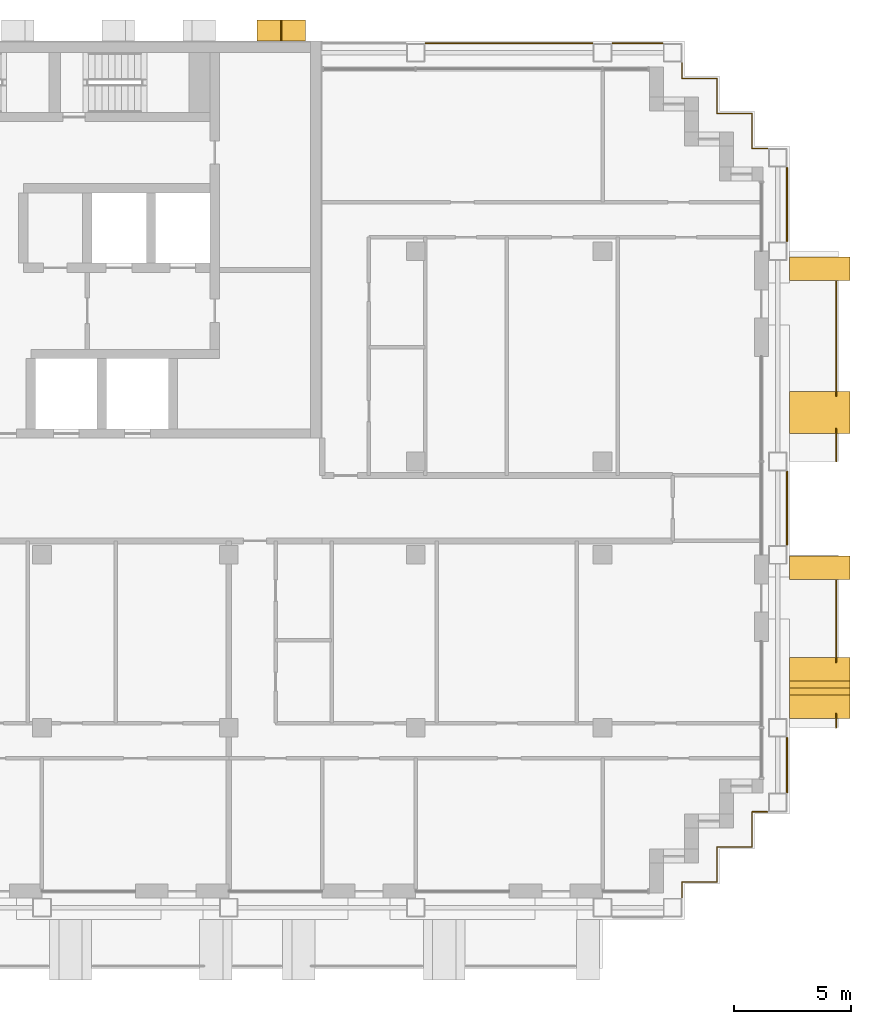
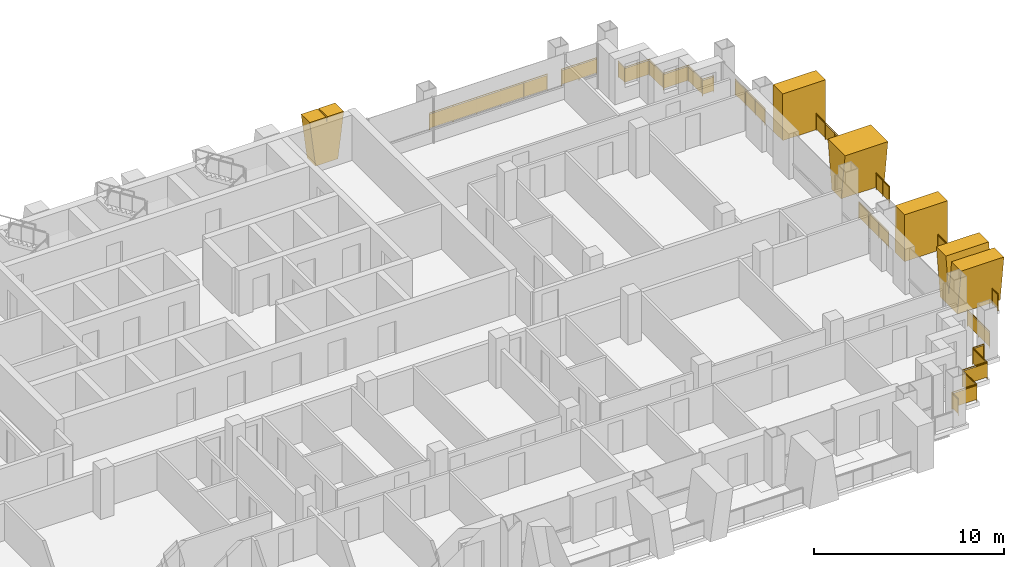
# One storey, part 16 of 16: 11 railings, 5 shading devices.
"""IFC4 building model written with IfcOpenShell, lengths in metres."""

from ifc_helpers import new_model, si_unit, direction, frame, origin, origin_2d, place, context, subcontext, project, spatial, polyline, rectangle, circle, outline, extrude, material, layer, layer_set, type_object, element, save


model = new_model("IFC4")

# Units and contexts
model_context = context("Model", 3, precision=1e-05, world=origin(), true_north=direction((0.0, 1.0)))
body_context = subcontext(model_context, "Body", "Model", "MODEL_VIEW")
ifc_project = project(units=[si_unit("LENGTHUNIT", "METRE"), si_unit("AREAUNIT", "SQUARE_METRE"), si_unit("VOLUMEUNIT", "CUBIC_METRE"), si_unit("PLANEANGLEUNIT", "RADIAN"), si_unit("MASSUNIT", "GRAM", prefix="KILO")], contexts=[model_context])

# Site, building, storey
site_placement = place(None, origin())
site = spatial("IfcSite", under=ifc_project, at=site_placement, CompositionType="ELEMENT")
building_placement = place(site_placement, origin())
building = spatial("IfcBuilding", under=site, at=building_placement, Name="Vidyagriha Tower", CompositionType="ELEMENT")
storey_placement = place(building_placement, frame((0.0, 0.0, 132.60009765625)))
storey = spatial("IfcBuildingStorey", under=building, at=storey_placement, Name="L34", CompositionType="ELEMENT", Elevation=132.60009765625)

# Railings
ifc_material_1 = material(Name="Steel ASTM A500 Grade C black painted", Category="steel")
railing_type_1 = type_object("IfcRailingType", Name="Balcony guard 1100", PredefinedType="BALUSTRADE", material=ifc_material_1)
railing_1_placement = place(storey_placement, frame((36.0, -9.39990234375, 0.0)))
element("IfcRailing", 1, at=railing_1_placement, inside=storey, type_object=railing_type_1, Name="Balcony guard L34 R30.1-1", PredefinedType="BALUSTRADE", context=body_context, shape_type="SweptSolid", body=[
    extrude(circle(Radius=0.02490234375, at=origin_2d()), frame((0.0, 0.0, 1.0751953125), z_axis=(0.0, 1.0, 0.0), x_axis=(-1.0, 0.0, 0.0)), (0.0, 0.0, 1.0), 0.5966796875),
    extrude(circle(Radius=0.02001953125, at=origin_2d()), origin(), (0.0, 0.0, 1.0), 1.050048828125),
    extrude(circle(Radius=0.02001953125, at=origin_2d()), frame((0.0, 0.5966796875, 0.0)), (0.0, 0.0, 1.0), 1.050048828125),
    extrude(rectangle(XDim=0.010009765625, YDim=0.900146484375, at=origin_2d()), frame((0.0, 0.0, 0.550048828125), z_axis=(0.0, 1.0, 0.0), x_axis=(-1.0, 0.0, 0.0)), (0.0, 0.0, 1.0), 0.5966796875),
])
railing_2_placement = place(storey_placement, frame((36.0, -6.5966796875, 0.0)))
element("IfcRailing", 2, at=railing_2_placement, inside=storey, type_object=railing_type_1, Name="Balcony guard L34 R30.1-2", PredefinedType="BALUSTRADE", context=body_context, shape_type="SweptSolid", body=[
    extrude(circle(Radius=0.02490234375, at=origin_2d()), frame((0.0, 0.0, 1.0751953125), z_axis=(0.0, 1.0, 0.0), x_axis=(-1.0, 0.0, 0.0)), (0.0, 0.0, 1.0), 3.49658203125),
    extrude(circle(Radius=0.02001953125, at=origin_2d()), origin(), (0.0, 0.0, 1.0), 1.050048828125),
    extrude(circle(Radius=0.02001953125, at=origin_2d()), frame((0.0, 1.16552734375, 0.0)), (0.0, 0.0, 1.0), 1.050048828125),
    extrude(circle(Radius=0.02001953125, at=origin_2d()), frame((0.0, 2.3310546875, 0.0)), (0.0, 0.0, 1.0), 1.050048828125),
    extrude(circle(Radius=0.02001953125, at=origin_2d()), frame((0.0, 3.49658203125, 0.0)), (0.0, 0.0, 1.0), 1.050048828125),
    extrude(rectangle(XDim=0.010009765625, YDim=0.900146484375, at=origin_2d()), frame((0.0, 0.0, 0.550048828125), z_axis=(0.0, 1.0, 0.0), x_axis=(-1.0, 0.0, 0.0)), (0.0, 0.0, 1.0), 3.49658203125),
])
railing_3_placement = place(storey_placement, frame((36.0, 2.0, 0.0)))
element("IfcRailing", 3, at=railing_3_placement, inside=storey, type_object=railing_type_1, Name="Balcony guard L34 R30.2-1", PredefinedType="BALUSTRADE", context=body_context, shape_type="SweptSolid", body=[
    extrude(circle(Radius=0.02490234375, at=origin_2d()), frame((0.0, 0.0, 1.0751953125), z_axis=(0.0, 1.0, 0.0), x_axis=(-1.0, 0.0, 0.0)), (0.0, 0.0, 1.0), 1.396728515625),
    extrude(circle(Radius=0.02001953125, at=origin_2d()), origin(), (0.0, 0.0, 1.0), 1.050048828125),
    extrude(circle(Radius=0.02001953125, at=origin_2d()), frame((0.0, 0.6982421875, 0.0)), (0.0, 0.0, 1.0), 1.050048828125),
    extrude(circle(Radius=0.02001953125, at=origin_2d()), frame((0.0, 1.396728515625, 0.0)), (0.0, 0.0, 1.0), 1.050048828125),
    extrude(rectangle(XDim=0.010009765625, YDim=0.900146484375, at=origin_2d()), frame((0.0, 0.0, 0.550048828125), z_axis=(0.0, 1.0, 0.0), x_axis=(-1.0, 0.0, 0.0)), (0.0, 0.0, 1.0), 1.396728515625),
])
railing_4_placement = place(storey_placement, frame((36.0, 4.80322265625, 0.0)))
element("IfcRailing", 4, at=railing_4_placement, inside=storey, type_object=railing_type_1, Name="Balcony guard L34 R30.2-2", PredefinedType="BALUSTRADE", context=body_context, shape_type="SweptSolid", body=[
    extrude(circle(Radius=0.02490234375, at=origin_2d()), frame((0.0, 0.0, 1.0751953125), z_axis=(0.0, 1.0, 0.0), x_axis=(-1.0, 0.0, 0.0)), (0.0, 0.0, 1.0), 4.896728515625),
    extrude(circle(Radius=0.02001953125, at=origin_2d()), origin(), (0.0, 0.0, 1.0), 1.050048828125),
    extrude(circle(Radius=0.02001953125, at=origin_2d()), frame((0.0, 0.979248046875, 0.0)), (0.0, 0.0, 1.0), 1.050048828125),
    extrude(circle(Radius=0.02001953125, at=origin_2d()), frame((0.0, 1.958740234375, 0.0)), (0.0, 0.0, 1.0), 1.050048828125),
    extrude(circle(Radius=0.02001953125, at=origin_2d()), frame((0.0, 2.93798828125, 0.0)), (0.0, 0.0, 1.0), 1.050048828125),
    extrude(circle(Radius=0.02001953125, at=origin_2d()), frame((0.0, 3.91748046875, 0.0)), (0.0, 0.0, 1.0), 1.050048828125),
    extrude(circle(Radius=0.02001953125, at=origin_2d()), frame((0.0, 4.896728515625, 0.0)), (0.0, 0.0, 1.0), 1.050048828125),
    extrude(rectangle(XDim=0.010009765625, YDim=0.900146484375, at=origin_2d()), frame((0.0, 0.0, 0.550048828125), z_axis=(0.0, 1.0, 0.0), x_axis=(-1.0, 0.0, 0.0)), (0.0, 0.0, 1.0), 4.896728515625),
])

# Shading devices
ifc_material_2 = material(Name="Precast concrete C40/50 with buff brick facing", Category="concrete")
ifc_layer_1 = layer(ifc_material_2, 1.0)
ifc_layer_set_1 = layer_set([ifc_layer_1], Name="Precast concrete C40/50 with buff brick facing")
shading_device_type_1 = type_object("IfcShadingDeviceType", Name="Brick-faced blade fin forking 8 degrees", PredefinedType="USERDEFINED", material=ifc_layer_set_1)
shading_device_1_placement = place(storey_placement, frame((35.300048828125, -9.0, 0.0), z_axis=(0.0, 0.0, 1.0), x_axis=(0.0, 1.0, 0.0)))
element("IfcShadingDevice", 5, at=shading_device_1_placement, inside=storey, type_object=shading_device_type_1, Name="Forked blade fin L34 R30.220a", ObjectType="BLADE FIN", PredefinedType="USERDEFINED", context=body_context, shape_type="SweptSolid", body=[
    extrude(outline(polyline([(0.39990234375, 0.0), (2.199951171875, 0.0), (2.60009765625, 3.0), (1.60009765625, 3.0), (1.300048828125, 0.75), (1.0, 3.0), (0.0, 3.0), (0.39990234375, 0.0)])), frame((0.0, 1.300048828125, 0.0), z_axis=(0.0, -1.0, 0.0), x_axis=(1.0, 0.0, 0.0)), (0.0, 0.0, 1.0), 2.60009765625),
])
shading_device_2_placement = place(storey_placement, frame((35.300048828125, 3.199951171875, 0.0), z_axis=(0.0, 0.0, 1.0), x_axis=(0.0, 1.0, 0.0)))
element("IfcShadingDevice", 6, at=shading_device_2_placement, inside=storey, type_object=shading_device_type_1, Name="Forked blade fin L34 R30.1360a", ObjectType="BLADE FIN", PredefinedType="USERDEFINED", context=body_context, shape_type="SweptSolid", body=[
    extrude(outline(polyline([(0.39990234375, 0.0), (1.39990234375, 0.0), (1.800048828125, 3.0), (0.0, 3.0), (0.39990234375, 0.0)])), frame((0.0, 1.300048828125, 0.0), z_axis=(0.0, -1.0, 0.0), x_axis=(1.0, 0.0, 0.0)), (0.0, 0.0, 1.0), 2.60009765625),
])
ifc_material_3 = material(Name="Precast concrete C40/50 with buff brick facing", Category="concrete")
ifc_layer_2 = layer(ifc_material_3, 1.0)
ifc_layer_set_2 = layer_set([ifc_layer_2], Name="Precast concrete C40/50 with buff brick facing")
shading_device_type_2 = type_object("IfcShadingDeviceType", Name="Brick-faced blade fin stem 1000", PredefinedType="USERDEFINED", material=ifc_layer_set_2)
for number, where, z_axis, x_axis, name in (
    (7, (35.300048828125, -3.050048828125, 0.0), (0.0, 0.0, 1.0), (0.0, 1.0, 0.0), "Stem blade fin L34 R30.960a"),
    (8, (35.300048828125, 9.75, 0.0), (0.0, 0.0, 1.0), (0.0, 1.0, 0.0), "Stem blade fin L34 R30.2260a"),
):
    element("IfcShadingDevice", number, at=place(storey_placement, frame(where, z_axis=z_axis, x_axis=x_axis)), inside=storey, type_object=shading_device_type_2, Name=name, ObjectType="BLADE FIN", PredefinedType="USERDEFINED", context=body_context, shape_type="SweptSolid", body=[
        extrude(outline(polyline([(0.0, 0.0), (1.0, 0.0), (1.0, 3.0), (0.0, 3.0), (0.0, 0.0)])), frame((0.0, 1.300048828125, 0.0), z_axis=(0.0, -1.0, 0.0), x_axis=(1.0, 0.0, 0.0)), (0.0, 0.0, 1.0), 2.60009765625),
    ])
ifc_material_4 = material(Name="Precast concrete C40/50 with brick facing", Category="concrete")
ifc_layer_3 = layer(ifc_material_4, 1.0)
ifc_layer_set_3 = layer_set([ifc_layer_3], Name="Precast concrete C40/50 with brick facing")
shading_device_type_3 = type_object("IfcShadingDeviceType", Name="Brick-faced rear rib forking 8 degrees", PredefinedType="USERDEFINED", material=ifc_layer_set_3)
shading_device_3_placement = place(storey_placement, frame((13.28564453125, 20.449951171875, 0.0), z_axis=(0.0, 0.0, 1.0), x_axis=(-1.0, 0.0, 0.0)))
element("IfcShadingDevice", 9, at=shading_device_3_placement, inside=storey, type_object=shading_device_type_3, Name="Rear rib fork L34 R08.1a", ObjectType="BLADE FIN", PredefinedType="USERDEFINED", context=body_context, shape_type="SweptSolid", body=[
    extrude(outline(polyline([(0.357177734375, 0.0), (1.71435546875, 0.0), (2.0712890625, 2.919921875), (1.0712890625, 2.919921875), (1.03564453125, 2.6279296875), (1.0, 2.919921875), (0.0, 2.919921875), (0.357177734375, 0.0)])), frame((0.0, 0.449951171875, 0.0), z_axis=(0.0, -1.0, 0.0), x_axis=(1.0, 0.0, 0.0)), (0.0, 0.0, 1.0), 0.89990234375),
])

# Railings
ifc_material_5 = material(Name="Steel ASTM A500 Grade C black painted", Category="steel")
railing_type_2 = type_object("IfcRailingType", Name="Gallery guard 1100", PredefinedType="GUARDRAIL", material=ifc_material_5)
railing_5_placement = place(storey_placement, frame((18.429931640625, 19.89990234375, 0.0)))
element("IfcRailing", 10, at=railing_5_placement, inside=storey, type_object=railing_type_2, Name="Gallery guard L34 10", PredefinedType="GUARDRAIL", context=body_context, shape_type="SweptSolid", body=[
    extrude(circle(Radius=0.02490234375, at=origin_2d()), frame((0.0, 0.0, 1.0751953125), z_axis=(1.0, 0.0, 0.0), x_axis=(0.0, 1.0, 0.0)), (0.0, 0.0, 1.0), 7.14013671875),
    extrude(circle(Radius=0.02001953125, at=origin_2d()), origin(), (0.0, 0.0, 1.0), 1.050048828125),
    extrude(circle(Radius=0.02001953125, at=origin_2d()), frame((1.427978515625, 0.0, 0.0)), (0.0, 0.0, 1.0), 1.050048828125),
    extrude(circle(Radius=0.02001953125, at=origin_2d()), frame((2.85595703125, 0.0, 0.0)), (0.0, 0.0, 1.0), 1.050048828125),
    extrude(circle(Radius=0.02001953125, at=origin_2d()), frame((4.2841796875, 0.0, 0.0)), (0.0, 0.0, 1.0), 1.050048828125),
    extrude(circle(Radius=0.02001953125, at=origin_2d()), frame((5.712158203125, 0.0, 0.0)), (0.0, 0.0, 1.0), 1.050048828125),
    extrude(circle(Radius=0.02001953125, at=origin_2d()), frame((7.14013671875, 0.0, 0.0)), (0.0, 0.0, 1.0), 1.050048828125),
    extrude(rectangle(XDim=0.010009765625, YDim=0.900146484375, at=origin_2d()), frame((0.0, 0.0, 0.550048828125), z_axis=(1.0, 0.0, 0.0), x_axis=(0.0, 1.0, 0.0)), (0.0, 0.0, 1.0), 7.14013671875),
])
railing_6_placement = place(storey_placement, frame((26.429931640625, 19.89990234375, 0.0)))
element("IfcRailing", 11, at=railing_6_placement, inside=storey, type_object=railing_type_2, Name="Gallery guard L34 12", PredefinedType="GUARDRAIL", context=body_context, shape_type="SweptSolid", body=[
    extrude(circle(Radius=0.02490234375, at=origin_2d()), frame((0.0, 0.0, 1.0751953125), z_axis=(1.0, 0.0, 0.0), x_axis=(0.0, 1.0, 0.0)), (0.0, 0.0, 1.0), 2.14013671875),
    extrude(circle(Radius=0.02001953125, at=origin_2d()), origin(), (0.0, 0.0, 1.0), 1.050048828125),
    extrude(circle(Radius=0.02001953125, at=origin_2d()), frame((1.070068359375, 0.0, 0.0)), (0.0, 0.0, 1.0), 1.050048828125),
    extrude(circle(Radius=0.02001953125, at=origin_2d()), frame((2.14013671875, 0.0, 0.0)), (0.0, 0.0, 1.0), 1.050048828125),
    extrude(rectangle(XDim=0.010009765625, YDim=0.900146484375, at=origin_2d()), frame((0.0, 0.0, 0.550048828125), z_axis=(1.0, 0.0, 0.0), x_axis=(0.0, 1.0, 0.0)), (0.0, 0.0, 1.0), 2.14013671875),
])
railing_7_placement = place(storey_placement, frame((33.070068359375, -13.0, 0.0)))
element("IfcRailing", 12, at=railing_7_placement, inside=storey, type_object=railing_type_2, Name="Gallery guard L34 13", PredefinedType="GUARDRAIL", context=body_context, shape_type="SweptSolid", body=[
    extrude(circle(Radius=0.02490234375, at=origin_2d()), frame((0.0, 0.0, 1.0751953125), z_axis=(-1.0, 0.0, 0.0), x_axis=(0.0, -1.0, 0.0)), (0.0, 0.0, 1.0), 0.670166015625),
    extrude(circle(Radius=0.02490234375, at=origin_2d()), frame((-0.670166015625, 0.0, 1.0751953125), z_axis=(0.0, -1.0, 0.0), x_axis=(1.0, 0.0, 0.0)), (0.0, 0.0, 1.0), 1.5),
    extrude(circle(Radius=0.02490234375, at=origin_2d()), frame((-0.670166015625, -1.5, 1.0751953125), z_axis=(-1.0, 0.0, 0.0), x_axis=(0.0, -1.0, 0.0)), (0.0, 0.0, 1.0), 1.5),
    extrude(circle(Radius=0.02490234375, at=origin_2d()), frame((-2.170166015625, -1.5, 1.0751953125), z_axis=(0.0, -1.0, 0.0), x_axis=(1.0, 0.0, 0.0)), (0.0, 0.0, 1.0), 1.5),
    extrude(circle(Radius=0.02490234375, at=origin_2d()), frame((-2.170166015625, -3.0, 1.0751953125), z_axis=(-1.0, 0.0, 0.0), x_axis=(0.0, -1.0, 0.0)), (0.0, 0.0, 1.0), 1.5),
    extrude(circle(Radius=0.02490234375, at=origin_2d()), frame((-3.670166015625, -3.0, 1.0751953125), z_axis=(0.0, -1.0, 0.0), x_axis=(1.0, 0.0, 0.0)), (0.0, 0.0, 1.0), 0.669921875),
    extrude(circle(Radius=0.02001953125, at=origin_2d()), origin(), (0.0, 0.0, 1.0), 1.050048828125),
    extrude(circle(Radius=0.02001953125, at=origin_2d()), frame((-0.670166015625, 0.0, 0.0)), (0.0, 0.0, 1.0), 1.050048828125),
    extrude(circle(Radius=0.02001953125, at=origin_2d()), frame((-0.670166015625, -1.5, 0.0)), (0.0, 0.0, 1.0), 1.050048828125),
    extrude(circle(Radius=0.02001953125, at=origin_2d()), frame((-2.170166015625, -1.5, 0.0)), (0.0, 0.0, 1.0), 1.050048828125),
    extrude(circle(Radius=0.02001953125, at=origin_2d()), frame((-2.170166015625, -3.0, 0.0)), (0.0, 0.0, 1.0), 1.050048828125),
    extrude(circle(Radius=0.02001953125, at=origin_2d()), frame((-3.670166015625, -3.0, 0.0)), (0.0, 0.0, 1.0), 1.050048828125),
    extrude(circle(Radius=0.02001953125, at=origin_2d()), frame((-3.670166015625, -3.669921875, 0.0)), (0.0, 0.0, 1.0), 1.050048828125),
    extrude(rectangle(XDim=0.010009765625, YDim=0.900146484375, at=origin_2d()), frame((0.0, 0.0, 0.550048828125), z_axis=(-1.0, 0.0, 0.0), x_axis=(0.0, -1.0, 0.0)), (0.0, 0.0, 1.0), 0.670166015625),
    extrude(rectangle(XDim=0.010009765625, YDim=0.900146484375, at=origin_2d()), frame((-0.670166015625, 0.0, 0.550048828125), z_axis=(0.0, -1.0, 0.0), x_axis=(1.0, 0.0, 0.0)), (0.0, 0.0, 1.0), 1.5),
    extrude(rectangle(XDim=0.010009765625, YDim=0.900146484375, at=origin_2d()), frame((-0.670166015625, -1.5, 0.550048828125), z_axis=(-1.0, 0.0, 0.0), x_axis=(0.0, -1.0, 0.0)), (0.0, 0.0, 1.0), 1.5),
    extrude(rectangle(XDim=0.010009765625, YDim=0.900146484375, at=origin_2d()), frame((-2.170166015625, -1.5, 0.550048828125), z_axis=(0.0, -1.0, 0.0), x_axis=(1.0, 0.0, 0.0)), (0.0, 0.0, 1.0), 1.5),
    extrude(rectangle(XDim=0.010009765625, YDim=0.900146484375, at=origin_2d()), frame((-2.170166015625, -3.0, 0.550048828125), z_axis=(-1.0, 0.0, 0.0), x_axis=(0.0, -1.0, 0.0)), (0.0, 0.0, 1.0), 1.5),
    extrude(rectangle(XDim=0.010009765625, YDim=0.900146484375, at=origin_2d()), frame((-3.670166015625, -3.0, 0.550048828125), z_axis=(0.0, -1.0, 0.0), x_axis=(1.0, 0.0, 0.0)), (0.0, 0.0, 1.0), 0.669921875),
])
railing_8_placement = place(storey_placement, frame((29.39990234375, 19.070068359375, 0.0)))
element("IfcRailing", 13, at=railing_8_placement, inside=storey, type_object=railing_type_2, Name="Gallery guard L34 14", PredefinedType="GUARDRAIL", context=body_context, shape_type="SweptSolid", body=[
    extrude(circle(Radius=0.02490234375, at=origin_2d()), frame((0.0, 0.0, 1.0751953125), z_axis=(0.0, -1.0, 0.0), x_axis=(1.0, 0.0, 0.0)), (0.0, 0.0, 1.0), 0.670166015625),
    extrude(circle(Radius=0.02490234375, at=origin_2d()), frame((0.0, -0.670166015625, 1.0751953125), z_axis=(1.0, 0.0, 0.0), x_axis=(0.0, 1.0, 0.0)), (0.0, 0.0, 1.0), 1.5),
    extrude(circle(Radius=0.02490234375, at=origin_2d()), frame((1.5, -0.670166015625, 1.0751953125), z_axis=(0.0, -1.0, 0.0), x_axis=(1.0, 0.0, 0.0)), (0.0, 0.0, 1.0), 1.5),
    extrude(circle(Radius=0.02490234375, at=origin_2d()), frame((1.5, -2.170166015625, 1.0751953125), z_axis=(1.0, 0.0, 0.0), x_axis=(0.0, 1.0, 0.0)), (0.0, 0.0, 1.0), 1.5),
    extrude(circle(Radius=0.02490234375, at=origin_2d()), frame((3.0, -2.170166015625, 1.0751953125), z_axis=(0.0, -1.0, 0.0), x_axis=(1.0, 0.0, 0.0)), (0.0, 0.0, 1.0), 1.5),
    extrude(circle(Radius=0.02490234375, at=origin_2d()), frame((3.0, -3.670166015625, 1.0751953125), z_axis=(1.0, 0.0, 0.0), x_axis=(0.0, 1.0, 0.0)), (0.0, 0.0, 1.0), 0.670166015625),
    extrude(circle(Radius=0.02001953125, at=origin_2d()), origin(), (0.0, 0.0, 1.0), 1.050048828125),
    extrude(circle(Radius=0.02001953125, at=origin_2d()), frame((0.0, -0.670166015625, 0.0)), (0.0, 0.0, 1.0), 1.050048828125),
    extrude(circle(Radius=0.02001953125, at=origin_2d()), frame((1.5, -0.670166015625, 0.0)), (0.0, 0.0, 1.0), 1.050048828125),
    extrude(circle(Radius=0.02001953125, at=origin_2d()), frame((1.5, -2.170166015625, 0.0)), (0.0, 0.0, 1.0), 1.050048828125),
    extrude(circle(Radius=0.02001953125, at=origin_2d()), frame((3.0, -2.170166015625, 0.0)), (0.0, 0.0, 1.0), 1.050048828125),
    extrude(circle(Radius=0.02001953125, at=origin_2d()), frame((3.0, -3.670166015625, 0.0)), (0.0, 0.0, 1.0), 1.050048828125),
    extrude(circle(Radius=0.02001953125, at=origin_2d()), frame((3.670166015625, -3.670166015625, 0.0)), (0.0, 0.0, 1.0), 1.050048828125),
    extrude(rectangle(XDim=0.010009765625, YDim=0.900146484375, at=origin_2d()), frame((0.0, 0.0, 0.550048828125), z_axis=(0.0, -1.0, 0.0), x_axis=(1.0, 0.0, 0.0)), (0.0, 0.0, 1.0), 0.670166015625),
    extrude(rectangle(XDim=0.010009765625, YDim=0.900146484375, at=origin_2d()), frame((0.0, -0.670166015625, 0.550048828125), z_axis=(1.0, 0.0, 0.0), x_axis=(0.0, 1.0, 0.0)), (0.0, 0.0, 1.0), 1.5),
    extrude(rectangle(XDim=0.010009765625, YDim=0.900146484375, at=origin_2d()), frame((1.5, -0.670166015625, 0.550048828125), z_axis=(0.0, -1.0, 0.0), x_axis=(1.0, 0.0, 0.0)), (0.0, 0.0, 1.0), 1.5),
    extrude(rectangle(XDim=0.010009765625, YDim=0.900146484375, at=origin_2d()), frame((1.5, -2.170166015625, 0.550048828125), z_axis=(1.0, 0.0, 0.0), x_axis=(0.0, 1.0, 0.0)), (0.0, 0.0, 1.0), 1.5),
    extrude(rectangle(XDim=0.010009765625, YDim=0.900146484375, at=origin_2d()), frame((3.0, -2.170166015625, 0.550048828125), z_axis=(0.0, -1.0, 0.0), x_axis=(1.0, 0.0, 0.0)), (0.0, 0.0, 1.0), 1.5),
    extrude(rectangle(XDim=0.010009765625, YDim=0.900146484375, at=origin_2d()), frame((3.0, -3.670166015625, 0.550048828125), z_axis=(1.0, 0.0, 0.0), x_axis=(0.0, 1.0, 0.0)), (0.0, 0.0, 1.0), 0.670166015625),
])
railing_9_placement = place(storey_placement, frame((33.89990234375, -9.830078125, 0.0)))
element("IfcRailing", 14, at=railing_9_placement, inside=storey, type_object=railing_type_2, Name="Gallery guard L34 15", PredefinedType="GUARDRAIL", context=body_context, shape_type="SweptSolid", body=[
    extrude(circle(Radius=0.02490234375, at=origin_2d()), frame((0.0, 0.0, 1.0751953125), z_axis=(0.0, -1.0, 0.0), x_axis=(1.0, 0.0, 0.0)), (0.0, 0.0, 1.0), 2.33984375),
    extrude(circle(Radius=0.02001953125, at=origin_2d()), origin(), (0.0, 0.0, 1.0), 1.050048828125),
    extrude(circle(Radius=0.02001953125, at=origin_2d()), frame((0.0, -1.169921875, 0.0)), (0.0, 0.0, 1.0), 1.050048828125),
    extrude(circle(Radius=0.02001953125, at=origin_2d()), frame((0.0, -2.33984375, 0.0)), (0.0, 0.0, 1.0), 1.050048828125),
    extrude(rectangle(XDim=0.010009765625, YDim=0.900146484375, at=origin_2d()), frame((0.0, 0.0, 0.550048828125), z_axis=(0.0, -1.0, 0.0), x_axis=(1.0, 0.0, 0.0)), (0.0, 0.0, 1.0), 2.33984375),
])
for number, where, name in (
    (15, (33.89990234375, 1.570068359375, 0.0), "Gallery guard L34 16"),
    (16, (33.89990234375, 14.570068359375, 0.0), "Gallery guard L34 17"),
):
    element("IfcRailing", number, at=place(storey_placement, frame(where)), inside=storey, type_object=railing_type_2, Name=name, PredefinedType="GUARDRAIL", context=body_context, shape_type="SweptSolid", body=[
        extrude(circle(Radius=0.02490234375, at=origin_2d()), frame((0.0, 0.0, 1.0751953125), z_axis=(0.0, -1.0, 0.0), x_axis=(1.0, 0.0, 0.0)), (0.0, 0.0, 1.0), 3.14013671875),
        extrude(circle(Radius=0.02001953125, at=origin_2d()), origin(), (0.0, 0.0, 1.0), 1.050048828125),
        extrude(circle(Radius=0.02001953125, at=origin_2d()), frame((0.0, -1.046630859375, 0.0)), (0.0, 0.0, 1.0), 1.050048828125),
        extrude(circle(Radius=0.02001953125, at=origin_2d()), frame((0.0, -2.093505859375, 0.0)), (0.0, 0.0, 1.0), 1.050048828125),
        extrude(circle(Radius=0.02001953125, at=origin_2d()), frame((0.0, -3.14013671875, 0.0)), (0.0, 0.0, 1.0), 1.050048828125),
        extrude(rectangle(XDim=0.010009765625, YDim=0.900146484375, at=origin_2d()), frame((0.0, 0.0, 0.550048828125), z_axis=(0.0, -1.0, 0.0), x_axis=(1.0, 0.0, 0.0)), (0.0, 0.0, 1.0), 3.14013671875),
    ])

save(model, "model.ifc")
